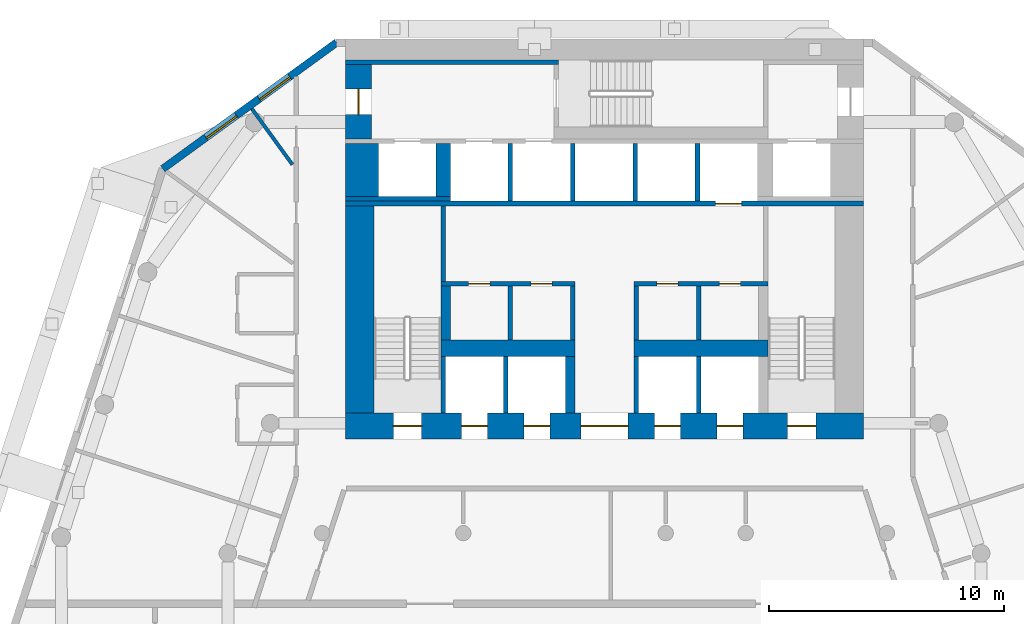
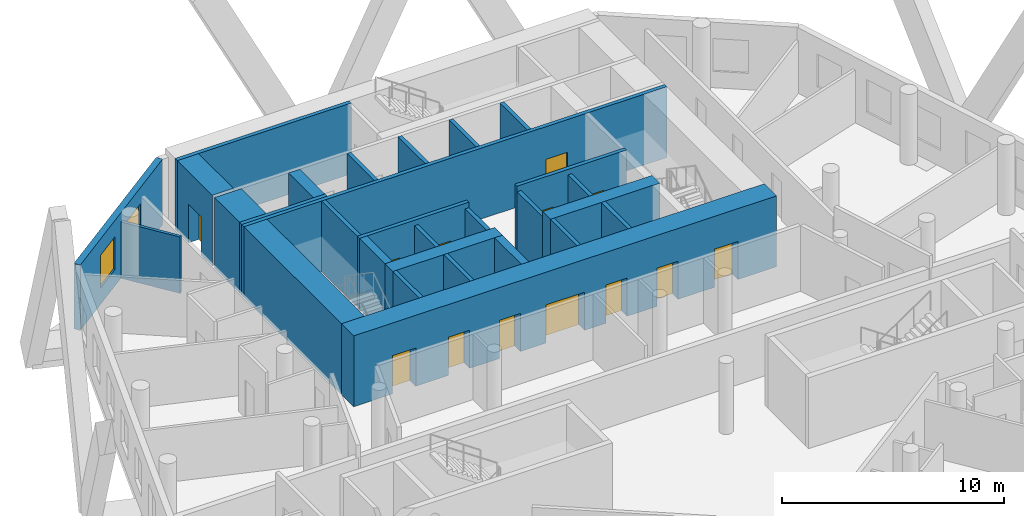
# One storey, part 6 of 10: 29 walls, 13 doors, 2 windows, 15 openings.
"""IFC4 building model written with IfcOpenShell, lengths in metres."""

from ifc_helpers import new_model, si_unit, direction, frame, frame_2d, origin, place, context, subcontext, project, spatial, rectangle, extrude, material, layer, layer_set, type_object, element, fill, save


model = new_model("IFC4")

# Units and contexts
model_context = context("Model", 3, precision=1e-05, world=origin(), true_north=direction((0.0, 1.0)))
body_context = subcontext(model_context, "Body", "Model", "MODEL_VIEW")
ifc_project = project(units=[si_unit("LENGTHUNIT", "METRE"), si_unit("AREAUNIT", "SQUARE_METRE"), si_unit("VOLUMEUNIT", "CUBIC_METRE"), si_unit("PLANEANGLEUNIT", "RADIAN"), si_unit("MASSUNIT", "GRAM", prefix="KILO")], contexts=[model_context])

# Site, building, storey
site_placement = place(None, origin())
site = spatial("IfcSite", under=ifc_project, at=site_placement, CompositionType="ELEMENT")
building_placement = place(site_placement, origin())
building = spatial("IfcBuilding", under=site, at=building_placement, Name="White Candle Pilgrim Tower", CompositionType="ELEMENT")
storey_placement = place(building_placement, frame((0.0, 0.0, 114.199951171875)))
storey = spatial("IfcBuildingStorey", under=building, at=storey_placement, Name="L25", CompositionType="ELEMENT", Elevation=114.199951171875)

# Wall, opening, door
ifc_material_1 = material(Name="Concrete C60/75", Category="concrete")
ifc_layer_1 = layer(ifc_material_1, 1.10009765625)
ifc_layer_set_1 = layer_set([ifc_layer_1], Name="Core wall 1100 mm Concrete C60/75")
wall_type_1 = type_object("IfcWallType", Name="Core wall 1100 mm Concrete C60/75", PredefinedType="SHEAR", material=ifc_layer_set_1)
wall_1_placement = place(storey_placement, frame((59.550048828125, 83.75, 0.0), z_axis=(0.0, 0.0, 1.0), x_axis=(0.0, 1.0, 0.0)))
wall_1 = element("IfcWall", 1, at=wall_1_placement, inside=storey, type_object=wall_type_1, Name="WL-L25-C44", PredefinedType="SHEAR", context=body_context, shape_type="SweptSolid", body=[
    extrude(rectangle(XDim=3.14990234375, YDim=1.10009765625, at=frame_2d((1.574951171875, 0.0))), origin(), (0.0, 0.0, 1.0), 3.900146484375),
])
opening_1_placement = place(wall_1_placement, frame((1.02490234375, 0.0, 0.0)))
opening_1 = element("IfcOpeningElement", 2, at=opening_1_placement, cuts=wall_1, Name="Opening T08-005", PredefinedType="OPENING", context=body_context, shape_type="SweptSolid", body=[
    extrude(rectangle(XDim=1.10009765625, YDim=2.10009765625, at=frame_2d((0.550048828125, 1.050048828125))), frame((0.0, 0.56005859375, 0.0), z_axis=(0.0, -1.0, 0.0), x_axis=(1.0, 0.0, 0.0)), (0.0, 0.0, 1.0), 1.1201171875),
])
ifc_material_2 = material(Name="Steel door leaf", Category="steel")
door_type_1 = type_object("IfcDoorType", Name="Fire door 1100 x 2100 EI 60", OperationType="NOTDEFINED", PredefinedType="DOOR", material=ifc_material_2)
door_1_placement = place(opening_1_placement, origin())
door_1 = element("IfcDoor", 3, at=door_1_placement, inside=storey, type_object=door_type_1, Name="Door T08-005", OperationType="SINGLE_SWING_LEFT", OverallHeight=2.10009765625, OverallWidth=1.10009765625, PredefinedType="DOOR", context=body_context, shape_type="SweptSolid", body=[
    extrude(rectangle(XDim=1.10009765625, YDim=2.10009765625, at=frame_2d((0.550048828125, 1.050048828125))), frame((0.0, 0.02490234375, 0.0), z_axis=(0.0, -1.0, 0.0), x_axis=(1.0, 0.0, 0.0)), (0.0, 0.0, 1.0), 0.050048828125),
])
fill(opening_1, door_1)

# Walls
ifc_layer_2 = layer(ifc_material_1, 1.39990234375)
ifc_layer_set_2 = layer_set([ifc_layer_2], Name="Core wall 1400 mm Concrete C60/75")
wall_type_2 = type_object("IfcWallType", Name="Core wall 1400 mm Concrete C60/75", PredefinedType="SHEAR", material=ifc_layer_set_2)
wall_2_placement = place(storey_placement, frame((59.699951171875, 81.300048828125, 0.0), z_axis=(0.0, 0.0, 1.0), x_axis=(0.0, 1.0, 0.0)))
element("IfcWall", 4, at=wall_2_placement, inside=storey, type_object=wall_type_2, Name="WL-L25-C39", PredefinedType="SHEAR", context=body_context, shape_type="SweptSolid", body=[
    extrude(rectangle(XDim=2.25, YDim=1.39990234375, at=frame_2d((1.125, 0.0))), origin(), (0.0, 0.0, 1.0), 3.900146484375),
])
ifc_layer_3 = layer(ifc_material_1, 0.199951171875)
ifc_layer_set_3 = layer_set([ifc_layer_3], Name="Core wall 200 mm Concrete C60/75")
wall_type_3 = type_object("IfcWallType", Name="Core wall 200 mm Concrete C60/75", PredefinedType="SHEAR", material=ifc_layer_set_3)
wall_3_placement = place(storey_placement, frame((59.0, 81.199951171875, 0.0), z_axis=(0.0, 0.0, 1.0), x_axis=(1.0, 0.0, 0.0)))
element("IfcWall", 5, at=wall_3_placement, inside=storey, type_object=wall_type_3, Name="WL-L25-C33", PredefinedType="SHEAR", context=body_context, shape_type="SweptSolid", body=[
    extrude(rectangle(XDim=4.449951171875, YDim=0.199951171875, at=frame_2d((2.22509765625, 0.0))), origin(), (0.0, 0.0, 1.0), 3.900146484375),
])

# Wall, openings, windows
ifc_material_3 = material(Name="Precast concrete C40/50", Category="concrete")
ifc_layer_4 = layer(ifc_material_3, 0.320068359375)
ifc_layer_set_4 = layer_set([ifc_layer_4], Name="Facade wall EW1 precast concrete C40/50 pier wall with timber-lined reveals")
wall_type_4 = type_object("IfcWallType", Name="Facade wall EW1 precast concrete C40/50 pier wall with timber-lined reveals", PredefinedType="SOLIDWALL", material=ifc_layer_set_4)
wall_4_placement = place(storey_placement, frame((58.614990234375, 87.840087890625, 0.0), z_axis=(0.0, 0.0, 1.0), x_axis=(-0.809013684675, -0.587789807677, 0.0)))
wall_4 = element("IfcWall", 6, at=wall_4_placement, inside=storey, type_object=wall_type_4, Name="Facade wall L25 NW chamfer", PredefinedType="SOLIDWALL", context=body_context, shape_type="SweptSolid", body=[
    extrude(rectangle(XDim=9.12451171875, YDim=0.320068359375, at=frame_2d((4.562255859375, 0.0))), origin(), (0.0, 0.0, 1.0), 3.60009765625),
])
opening_2_placement = place(wall_4_placement, frame((2.459716796875, 0.0, 0.89990234375)))
opening_2 = element("IfcOpeningElement", 7, at=opening_2_placement, cuts=wall_4, Name="Opening W2", PredefinedType="OPENING", context=body_context, shape_type="SweptSolid", body=[
    extrude(rectangle(XDim=1.60009765625, YDim=1.800048828125, at=frame_2d((0.800048828125, 0.89990234375))), frame((0.0, 0.169921875, 0.0), z_axis=(0.0, -1.0, 0.0), x_axis=(1.0, 0.0, 0.0)), (0.0, 0.0, 1.0), 0.340087890625),
])
opening_3_placement = place(wall_4_placement, frame((5.26220703125, 0.0, 0.89990234375)))
opening_3 = element("IfcOpeningElement", 8, at=opening_3_placement, cuts=wall_4, Name="Opening W2", PredefinedType="OPENING", context=body_context, shape_type="SweptSolid", body=[
    extrude(rectangle(XDim=1.60009765625, YDim=1.800048828125, at=frame_2d((0.800048828125, 0.89990234375))), frame((0.0, 0.169921875, 0.0), z_axis=(0.0, -1.0, 0.0), x_axis=(1.0, 0.0, 0.0)), (0.0, 0.0, 1.0), 0.340087890625),
])
ifc_material_4 = material(Name="Timber frame with triple glazing", Category="wood")
window_type = type_object("IfcWindowType", Name="Window W2 1600x1800 timber frame triple glazing", PartitioningType="SINGLE_PANEL", PredefinedType="WINDOW", material=ifc_material_4)
window_1_placement = place(opening_2_placement, origin())
window_1 = element("IfcWindow", 9, at=window_1_placement, inside=storey, type_object=window_type, Name="Window W2 L25 NW chamfer 1", OverallHeight=1.800048828125, OverallWidth=1.60009765625, PartitioningType="SINGLE_PANEL", PredefinedType="WINDOW", context=body_context, shape_type="SweptSolid", body=[
    extrude(rectangle(XDim=1.60009765625, YDim=1.800048828125, at=frame_2d((0.800048828125, 0.89990234375))), frame((0.0, 0.070068359375, 0.0), z_axis=(0.0, -1.0, 0.0), x_axis=(1.0, 0.0, 0.0)), (0.0, 0.0, 1.0), 0.06005859375),
])
fill(opening_2, window_1)
window_2_placement = place(opening_3_placement, origin())
window_2 = element("IfcWindow", 10, at=window_2_placement, inside=storey, type_object=window_type, Name="Window W2 L25 NW chamfer 2", OverallHeight=1.800048828125, OverallWidth=1.60009765625, PartitioningType="SINGLE_PANEL", PredefinedType="WINDOW", context=body_context, shape_type="SweptSolid", body=[
    extrude(rectangle(XDim=1.60009765625, YDim=1.800048828125, at=frame_2d((0.800048828125, 0.89990234375))), frame((0.0, 0.070068359375, 0.0), z_axis=(0.0, -1.0, 0.0), x_axis=(1.0, 0.0, 0.0)), (0.0, 0.0, 1.0), 0.06005859375),
])
fill(opening_3, window_2)

# Walls
ifc_material_5 = material(Name="Gypsum board on steel studs", Category="steel")
ifc_layer_5 = layer(ifc_material_5, 0.199951171875)
ifc_layer_set_5 = layer_set([ifc_layer_5], Name="Lobby wall 200 mm EI 60")
wall_type_5 = type_object("IfcWallType", Name="Lobby wall 200 mm EI 60", PredefinedType="PARTITIONING", material=ifc_layer_set_5)
for number, where, z_axis, x_axis, name in (
    (11, (66.0, 75.199951171875, 0.0), (0.0, 0.0, 1.0), (0.0, 1.0, 0.0), "WL-L25-C23"),
    (12, (68.64990234375, 75.199951171875, 0.0), (0.0, 0.0, 1.0), (0.0, 1.0, 0.0), "WL-L25-C24"),
    (13, (71.35009765625, 75.199951171875, 0.0), (0.0, 0.0, 1.0), (0.0, 1.0, 0.0), "WL-L25-C25"),
    (14, (74.0, 75.199951171875, 0.0), (0.0, 0.0, 1.0), (0.0, 1.0, 0.0), "WL-L25-C26"),
):
    element("IfcWall", number, at=place(storey_placement, frame(where, z_axis=z_axis, x_axis=x_axis)), inside=storey, type_object=wall_type_5, Name=name, PredefinedType="PARTITIONING", context=body_context, shape_type="SweptSolid", body=[
        extrude(rectangle(XDim=2.300048828125, YDim=0.199951171875, at=frame_2d((1.14990234375, 0.0))), origin(), (0.0, 0.0, 1.0), 3.60009765625),
    ])
ifc_layer_6 = layer(ifc_material_5, 0.14990234375)
ifc_layer_set_6 = layer_set([ifc_layer_6], Name="Partition 150 mm EI 60")
wall_type_6 = type_object("IfcWallType", Name="Partition 150 mm EI 60", PredefinedType="PARTITIONING", material=ifc_layer_set_6)
wall_5_placement = place(storey_placement, frame((55.01806640625, 85.02880859375, 0.0), z_axis=(0.0, 0.0, 1.0), x_axis=(0.587804780277, -0.809002806103, 0.0)))
element("IfcWall", 15, at=wall_5_placement, inside=storey, type_object=wall_type_6, Name="WL-L25-P024", PredefinedType="PARTITIONING", context=body_context, shape_type="SweptSolid", body=[
    extrude(rectangle(XDim=2.92822265625, YDim=0.14990234375, at=frame_2d((1.464111328125, 0.0))), origin(), (0.0, 0.0, 1.0), 3.10009765625),
])
ifc_layer_7 = layer(ifc_material_1, 0.199951171875)
ifc_layer_set_7 = layer_set([ifc_layer_7], Name="Shaft wall 200 mm Concrete C60/75")
wall_type_7 = type_object("IfcWallType", Name="Shaft wall 200 mm Concrete C60/75", PredefinedType="SHEAR", material=ifc_layer_set_7)
for number, where, z_axis, x_axis, name in (
    (16, (65.800048828125, 72.10009765625, 0.0), (0.0, 0.0, 1.0), (0.0, 1.0, 0.0), "WL-L25-C14"),
    (17, (71.35009765625, 72.10009765625, 0.0), (0.0, 0.0, 1.0), (0.0, 1.0, 0.0), "WL-L25-C16"),
    (18, (74.0, 72.10009765625, 0.0), (0.0, 0.0, 1.0), (0.0, 1.0, 0.0), "WL-L25-C17"),
):
    element("IfcWall", number, at=place(storey_placement, frame(where, z_axis=z_axis, x_axis=x_axis)), inside=storey, type_object=wall_type_7, Name=name, PredefinedType="SHEAR", context=body_context, shape_type="SweptSolid", body=[
        extrude(rectangle(XDim=2.39990234375, YDim=0.199951171875, at=frame_2d((1.199951171875, 0.0))), origin(), (0.0, 0.0, 1.0), 3.900146484375),
    ])
for number, where, z_axis, x_axis, name in (
    (19, (66.0, 81.10009765625, 0.0), (0.0, 0.0, 1.0), (0.0, 1.0, 0.0), "WL-L25-C34"),
    (20, (68.64990234375, 81.10009765625, 0.0), (0.0, 0.0, 1.0), (0.0, 1.0, 0.0), "WL-L25-C35"),
    (21, (71.300048828125, 81.10009765625, 0.0), (0.0, 0.0, 1.0), (0.0, 1.0, 0.0), "WL-L25-C36"),
    (22, (73.949951171875, 81.10009765625, 0.0), (0.0, 0.0, 1.0), (0.0, 1.0, 0.0), "WL-L25-C37"),
):
    element("IfcWall", number, at=place(storey_placement, frame(where, z_axis=z_axis, x_axis=x_axis)), inside=storey, type_object=wall_type_7, Name=name, PredefinedType="SHEAR", context=body_context, shape_type="SweptSolid", body=[
        extrude(rectangle(XDim=2.449951171875, YDim=0.199951171875, at=frame_2d((1.22509765625, 0.0))), origin(), (0.0, 0.0, 1.0), 3.900146484375),
    ])
ifc_layer_8 = layer(ifc_material_1, 0.39990234375)
ifc_layer_set_8 = layer_set([ifc_layer_8], Name="Shaft wall 400 mm Concrete C60/75")
wall_type_8 = type_object("IfcWallType", Name="Shaft wall 400 mm Concrete C60/75", PredefinedType="SHEAR", material=ifc_layer_set_8)
wall_6_placement = place(storey_placement, frame((68.550048828125, 72.10009765625, 0.0), z_axis=(0.0, 0.0, 1.0), x_axis=(0.0, 1.0, 0.0)))
element("IfcWall", 23, at=wall_6_placement, inside=storey, type_object=wall_type_8, Name="WL-L25-C15", PredefinedType="SHEAR", context=body_context, shape_type="SweptSolid", body=[
    extrude(rectangle(XDim=2.39990234375, YDim=0.39990234375, at=frame_2d((1.199951171875, 0.0))), origin(), (0.0, 0.0, 1.0), 3.900146484375),
])
ifc_layer_9 = layer(ifc_material_1, 0.60009765625)
ifc_layer_set_9 = layer_set([ifc_layer_9], Name="Shaft wall 600 mm Concrete C60/75")
wall_type_9 = type_object("IfcWallType", Name="Shaft wall 600 mm Concrete C60/75", PredefinedType="SHEAR", material=ifc_layer_set_9)
wall_7_placement = place(storey_placement, frame((63.14990234375, 81.300048828125, 0.0), z_axis=(0.0, 0.0, 1.0), x_axis=(0.0, 1.0, 0.0)))
element("IfcWall", 24, at=wall_7_placement, inside=storey, type_object=wall_type_9, Name="WL-L25-C40", PredefinedType="SHEAR", context=body_context, shape_type="SweptSolid", body=[
    extrude(rectangle(XDim=2.25, YDim=0.60009765625, at=frame_2d((1.125, 0.0))), origin(), (0.0, 0.0, 1.0), 3.900146484375),
])

# Wall, openings, doors
ifc_layer_10 = layer(ifc_material_1, 1.10009765625)
ifc_layer_set_10 = layer_set([ifc_layer_10], Name="Stair shaft wall 1100 mm Concrete C60/75")
wall_type_10 = type_object("IfcWallType", Name="Stair shaft wall 1100 mm Concrete C60/75", PredefinedType="SHEAR", material=ifc_layer_set_10)
wall_8_placement = place(storey_placement, frame((59.0, 71.550048828125, 0.0), z_axis=(0.0, 0.0, 1.0), x_axis=(1.0, 0.0, 0.0)))
wall_8 = element("IfcWall", 25, at=wall_8_placement, inside=storey, type_object=wall_type_10, Name="WL-L25-C11", PredefinedType="SHEAR", context=body_context, shape_type="SweptSolid", body=[
    extrude(rectangle(XDim=22.0, YDim=1.10009765625, at=frame_2d((11.0, 0.0))), origin(), (0.0, 0.0, 1.0), 3.900146484375),
])
opening_4_placement = place(wall_8_placement, frame((2.02490234375, 0.0, 0.0)))
opening_4 = element("IfcOpeningElement", 26, at=opening_4_placement, cuts=wall_8, Name="Opening T08-001", PredefinedType="OPENING", context=body_context, shape_type="SweptSolid", body=[
    extrude(rectangle(XDim=1.199951171875, YDim=2.10009765625, at=frame_2d((0.60009765625, 1.050048828125))), frame((0.0, 0.56005859375, 0.0), z_axis=(0.0, -1.0, 0.0), x_axis=(1.0, 0.0, 0.0)), (0.0, 0.0, 1.0), 1.1201171875),
])
opening_5_placement = place(wall_8_placement, frame((18.77490234375, 0.0, 0.0)))
opening_5 = element("IfcOpeningElement", 27, at=opening_5_placement, cuts=wall_8, Name="Opening T08-002", PredefinedType="OPENING", context=body_context, shape_type="SweptSolid", body=[
    extrude(rectangle(XDim=1.199951171875, YDim=2.10009765625, at=frame_2d((0.60009765625, 1.050048828125))), frame((0.0, 0.56005859375, 0.0), z_axis=(0.0, -1.0, 0.0), x_axis=(1.0, 0.0, 0.0)), (0.0, 0.0, 1.0), 1.1201171875),
])
opening_6_placement = place(wall_8_placement, frame((10.0, 0.0, 0.0)))
opening_6 = element("IfcOpeningElement", 28, at=opening_6_placement, cuts=wall_8, Name="Opening T08-004", PredefinedType="OPENING", context=body_context, shape_type="SweptSolid", body=[
    extrude(rectangle(XDim=2.0, YDim=2.10009765625, at=frame_2d((1.0, 1.050048828125))), frame((0.0, 0.56005859375, 0.0), z_axis=(0.0, -1.0, 0.0), x_axis=(1.0, 0.0, 0.0)), (0.0, 0.0, 1.0), 1.1201171875),
])
opening_7_placement = place(wall_8_placement, frame((4.925048828125, 0.0, 0.0)))
opening_7 = element("IfcOpeningElement", 29, at=opening_7_placement, cuts=wall_8, Name="Opening T08-014", PredefinedType="OPENING", context=body_context, shape_type="SweptSolid", body=[
    extrude(rectangle(XDim=1.10009765625, YDim=2.10009765625, at=frame_2d((0.550048828125, 1.050048828125))), frame((0.0, 0.56005859375, 0.0), z_axis=(0.0, -1.0, 0.0), x_axis=(1.0, 0.0, 0.0)), (0.0, 0.0, 1.0), 1.1201171875),
])
opening_8_placement = place(wall_8_placement, frame((7.574951171875, 0.0, 0.0)))
opening_8 = element("IfcOpeningElement", 30, at=opening_8_placement, cuts=wall_8, Name="Opening T08-015", PredefinedType="OPENING", context=body_context, shape_type="SweptSolid", body=[
    extrude(rectangle(XDim=1.10009765625, YDim=2.10009765625, at=frame_2d((0.550048828125, 1.050048828125))), frame((0.0, 0.56005859375, 0.0), z_axis=(0.0, -1.0, 0.0), x_axis=(1.0, 0.0, 0.0)), (0.0, 0.0, 1.0), 1.1201171875),
])
opening_9_placement = place(wall_8_placement, frame((13.125, 0.0, 0.0)))
opening_9 = element("IfcOpeningElement", 31, at=opening_9_placement, cuts=wall_8, Name="Opening T08-016", PredefinedType="OPENING", context=body_context, shape_type="SweptSolid", body=[
    extrude(rectangle(XDim=1.10009765625, YDim=2.10009765625, at=frame_2d((0.550048828125, 1.050048828125))), frame((0.0, 0.56005859375, 0.0), z_axis=(0.0, -1.0, 0.0), x_axis=(1.0, 0.0, 0.0)), (0.0, 0.0, 1.0), 1.1201171875),
])
opening_10_placement = place(wall_8_placement, frame((15.77490234375, 0.0, 0.0)))
opening_10 = element("IfcOpeningElement", 32, at=opening_10_placement, cuts=wall_8, Name="Opening T08-017", PredefinedType="OPENING", context=body_context, shape_type="SweptSolid", body=[
    extrude(rectangle(XDim=1.10009765625, YDim=2.10009765625, at=frame_2d((0.550048828125, 1.050048828125))), frame((0.0, 0.56005859375, 0.0), z_axis=(0.0, -1.0, 0.0), x_axis=(1.0, 0.0, 0.0)), (0.0, 0.0, 1.0), 1.1201171875),
])
door_type_2 = type_object("IfcDoorType", Name="Fire door 1200 x 2100 EI 60", OperationType="NOTDEFINED", PredefinedType="DOOR", material=ifc_material_2)
door_2_placement = place(opening_4_placement, frame((1.199951171875, 0.0, 0.0), z_axis=(0.0, 0.0, 1.0), x_axis=(-1.0, 0.0, 0.0)))
door_2 = element("IfcDoor", 33, at=door_2_placement, inside=storey, type_object=door_type_2, Name="Door T08-001", OperationType="SINGLE_SWING_RIGHT", OverallHeight=2.10009765625, OverallWidth=1.199951171875, PredefinedType="DOOR", context=body_context, shape_type="SweptSolid", body=[
    extrude(rectangle(XDim=1.199951171875, YDim=2.10009765625, at=frame_2d((0.60009765625, 1.050048828125))), frame((0.0, 0.02490234375, 0.0), z_axis=(0.0, -1.0, 0.0), x_axis=(1.0, 0.0, 0.0)), (0.0, 0.0, 1.0), 0.050048828125),
])
fill(opening_4, door_2)
door_3_placement = place(opening_5_placement, frame((1.199951171875, 0.0, 0.0), z_axis=(0.0, 0.0, 1.0), x_axis=(-1.0, 0.0, 0.0)))
door_3 = element("IfcDoor", 34, at=door_3_placement, inside=storey, type_object=door_type_2, Name="Door T08-002", OperationType="SINGLE_SWING_LEFT", OverallHeight=2.10009765625, OverallWidth=1.199951171875, PredefinedType="DOOR", context=body_context, shape_type="SweptSolid", body=[
    extrude(rectangle(XDim=1.199951171875, YDim=2.10009765625, at=frame_2d((0.60009765625, 1.050048828125))), frame((0.0, 0.02490234375, 0.0), z_axis=(0.0, -1.0, 0.0), x_axis=(1.0, 0.0, 0.0)), (0.0, 0.0, 1.0), 0.050048828125),
])
fill(opening_5, door_3)
door_type_3 = type_object("IfcDoorType", Name="Fire door 2000 x 2100 EI 60", OperationType="NOTDEFINED", PredefinedType="DOOR", material=ifc_material_2)
door_4_placement = place(opening_6_placement, frame((2.0, 0.0, 0.0), z_axis=(0.0, 0.0, 1.0), x_axis=(-1.0, 0.0, 0.0)))
door_4 = element("IfcDoor", 35, at=door_4_placement, inside=storey, type_object=door_type_3, Name="Door T08-004", OperationType="DOUBLE_DOOR_SINGLE_SWING", OverallHeight=2.10009765625, OverallWidth=2.0, PredefinedType="DOOR", context=body_context, shape_type="SweptSolid", body=[
    extrude(rectangle(XDim=2.0, YDim=2.10009765625, at=frame_2d((1.0, 1.050048828125))), frame((0.0, 0.02490234375, 0.0), z_axis=(0.0, -1.0, 0.0), x_axis=(1.0, 0.0, 0.0)), (0.0, 0.0, 1.0), 0.050048828125),
])
fill(opening_6, door_4)
ifc_material_6 = material(Name="Stainless steel", Category="steel")
door_type_4 = type_object("IfcDoorType", Name="Lift landing door 1100 x 2100 E 60", OperationType="DOUBLE_DOOR_SLIDING", PredefinedType="DOOR", material=ifc_material_6)
door_5_placement = place(opening_7_placement, origin())
door_5 = element("IfcDoor", 36, at=door_5_placement, inside=storey, type_object=door_type_4, Name="Door T08-014", OperationType="DOUBLE_DOOR_SLIDING", OverallHeight=2.10009765625, OverallWidth=1.10009765625, PredefinedType="DOOR", context=body_context, shape_type="SweptSolid", body=[
    extrude(rectangle(XDim=1.10009765625, YDim=2.10009765625, at=frame_2d((0.550048828125, 1.050048828125))), frame((0.0, 0.02490234375, 0.0), z_axis=(0.0, -1.0, 0.0), x_axis=(1.0, 0.0, 0.0)), (0.0, 0.0, 1.0), 0.050048828125),
])
fill(opening_7, door_5)
door_6_placement = place(opening_8_placement, origin())
door_6 = element("IfcDoor", 37, at=door_6_placement, inside=storey, type_object=door_type_4, Name="Door T08-015", OperationType="DOUBLE_DOOR_SLIDING", OverallHeight=2.10009765625, OverallWidth=1.10009765625, PredefinedType="DOOR", context=body_context, shape_type="SweptSolid", body=[
    extrude(rectangle(XDim=1.10009765625, YDim=2.10009765625, at=frame_2d((0.550048828125, 1.050048828125))), frame((0.0, 0.02490234375, 0.0), z_axis=(0.0, -1.0, 0.0), x_axis=(1.0, 0.0, 0.0)), (0.0, 0.0, 1.0), 0.050048828125),
])
fill(opening_8, door_6)
door_7_placement = place(opening_9_placement, origin())
door_7 = element("IfcDoor", 38, at=door_7_placement, inside=storey, type_object=door_type_4, Name="Door T08-016", OperationType="DOUBLE_DOOR_SLIDING", OverallHeight=2.10009765625, OverallWidth=1.10009765625, PredefinedType="DOOR", context=body_context, shape_type="SweptSolid", body=[
    extrude(rectangle(XDim=1.10009765625, YDim=2.10009765625, at=frame_2d((0.550048828125, 1.050048828125))), frame((0.0, 0.02490234375, 0.0), z_axis=(0.0, -1.0, 0.0), x_axis=(1.0, 0.0, 0.0)), (0.0, 0.0, 1.0), 0.050048828125),
])
fill(opening_9, door_7)
door_8_placement = place(opening_10_placement, origin())
door_8 = element("IfcDoor", 39, at=door_8_placement, inside=storey, type_object=door_type_4, Name="Door T08-017", OperationType="DOUBLE_DOOR_SLIDING", OverallHeight=2.10009765625, OverallWidth=1.10009765625, PredefinedType="DOOR", context=body_context, shape_type="SweptSolid", body=[
    extrude(rectangle(XDim=1.10009765625, YDim=2.10009765625, at=frame_2d((0.550048828125, 1.050048828125))), frame((0.0, 0.02490234375, 0.0), z_axis=(0.0, -1.0, 0.0), x_axis=(1.0, 0.0, 0.0)), (0.0, 0.0, 1.0), 0.050048828125),
])
fill(opening_10, door_8)

# Walls
ifc_layer_11 = layer(ifc_material_1, 1.199951171875)
ifc_layer_set_11 = layer_set([ifc_layer_11], Name="Stair shaft wall 1200 mm Concrete C60/75")
wall_type_11 = type_object("IfcWallType", Name="Stair shaft wall 1200 mm Concrete C60/75", PredefinedType="SHEAR", material=ifc_layer_set_11)
wall_9_placement = place(storey_placement, frame((59.60009765625, 72.10009765625, 0.0), z_axis=(0.0, 0.0, 1.0), x_axis=(0.0, 1.0, 0.0)))
element("IfcWall", 40, at=wall_9_placement, inside=storey, type_object=wall_type_11, Name="WL-L25-C12", PredefinedType="SHEAR", context=body_context, shape_type="SweptSolid", body=[
    extrude(rectangle(XDim=8.7998046875, YDim=1.199951171875, at=frame_2d((4.39990234375, 0.0))), origin(), (0.0, 0.0, 1.0), 3.900146484375),
])
ifc_layer_12 = layer(ifc_material_1, 0.199951171875)
ifc_layer_set_12 = layer_set([ifc_layer_12], Name="Stair shaft wall 200 mm Concrete C60/75")
wall_type_12 = type_object("IfcWallType", Name="Stair shaft wall 200 mm Concrete C60/75", PredefinedType="SHEAR", material=ifc_layer_set_12)
wall_10_placement = place(storey_placement, frame((63.14990234375, 72.10009765625, 0.0), z_axis=(0.0, 0.0, 1.0), x_axis=(0.0, 1.0, 0.0)))
element("IfcWall", 41, at=wall_10_placement, inside=storey, type_object=wall_type_12, Name="WL-L25-C13", PredefinedType="SHEAR", context=body_context, shape_type="SweptSolid", body=[
    extrude(rectangle(XDim=2.39990234375, YDim=0.199951171875, at=frame_2d((1.199951171875, 0.0))), origin(), (0.0, 0.0, 1.0), 3.900146484375),
])

# Wall, openings, doors
wall_11_placement = place(storey_placement, frame((63.050048828125, 77.60009765625, 0.0), z_axis=(0.0, 0.0, 1.0), x_axis=(1.0, 0.0, 0.0)))
wall_11 = element("IfcWall", 42, at=wall_11_placement, inside=storey, type_object=wall_type_12, Name="WL-L25-C28", PredefinedType="SHEAR", context=body_context, shape_type="SweptSolid", body=[
    extrude(rectangle(XDim=5.699951171875, YDim=0.199951171875, at=frame_2d((2.85009765625, 0.0))), origin(), (0.0, 0.0, 1.0), 3.900146484375),
])
opening_11_placement = place(wall_11_placement, frame((1.175048828125, 0.0, 0.0)))
opening_11 = element("IfcOpeningElement", 43, at=opening_11_placement, cuts=wall_11, Name="Opening T08-020", PredefinedType="OPENING", context=body_context, shape_type="SweptSolid", body=[
    extrude(rectangle(XDim=0.89990234375, YDim=2.10009765625, at=frame_2d((0.449951171875, 1.050048828125))), frame((0.0, 0.10986328125, 0.0), z_axis=(0.0, -1.0, 0.0), x_axis=(1.0, 0.0, 0.0)), (0.0, 0.0, 1.0), 0.219970703125),
])
opening_12_placement = place(wall_11_placement, frame((3.824951171875, 0.0, 0.0)))
opening_12 = element("IfcOpeningElement", 44, at=opening_12_placement, cuts=wall_11, Name="Opening T08-021", PredefinedType="OPENING", context=body_context, shape_type="SweptSolid", body=[
    extrude(rectangle(XDim=0.89990234375, YDim=2.10009765625, at=frame_2d((0.449951171875, 1.050048828125))), frame((0.0, 0.10986328125, 0.0), z_axis=(0.0, -1.0, 0.0), x_axis=(1.0, 0.0, 0.0)), (0.0, 0.0, 1.0), 0.219970703125),
])
door_type_5 = type_object("IfcDoorType", Name="Fire door 900 x 2100 EI 30", OperationType="NOTDEFINED", PredefinedType="DOOR", material=ifc_material_2)
door_9_placement = place(opening_11_placement, origin())
door_9 = element("IfcDoor", 45, at=door_9_placement, inside=storey, type_object=door_type_5, Name="Door T08-020", OperationType="SINGLE_SWING_RIGHT", OverallHeight=2.10009765625, OverallWidth=0.89990234375, PredefinedType="DOOR", context=body_context, shape_type="SweptSolid", body=[
    extrude(rectangle(XDim=0.89990234375, YDim=2.10009765625, at=frame_2d((0.449951171875, 1.050048828125))), frame((0.0, 0.02490234375, 0.0), z_axis=(0.0, -1.0, 0.0), x_axis=(1.0, 0.0, 0.0)), (0.0, 0.0, 1.0), 0.050048828125),
])
fill(opening_11, door_9)
door_10_placement = place(opening_12_placement, origin())
door_10 = element("IfcDoor", 46, at=door_10_placement, inside=storey, type_object=door_type_5, Name="Door T08-021", OperationType="SINGLE_SWING_LEFT", OverallHeight=2.10009765625, OverallWidth=0.89990234375, PredefinedType="DOOR", context=body_context, shape_type="SweptSolid", body=[
    extrude(rectangle(XDim=0.89990234375, YDim=2.10009765625, at=frame_2d((0.449951171875, 1.050048828125))), frame((0.0, 0.02490234375, 0.0), z_axis=(0.0, -1.0, 0.0), x_axis=(1.0, 0.0, 0.0)), (0.0, 0.0, 1.0), 0.050048828125),
])
fill(opening_12, door_10)

wall_12_placement = place(storey_placement, frame((71.25, 77.60009765625, 0.0), z_axis=(0.0, 0.0, 1.0), x_axis=(1.0, 0.0, 0.0)))
wall_12 = element("IfcWall", 47, at=wall_12_placement, inside=storey, type_object=wall_type_12, Name="WL-L25-C29", PredefinedType="SHEAR", context=body_context, shape_type="SweptSolid", body=[
    extrude(rectangle(XDim=5.699951171875, YDim=0.199951171875, at=frame_2d((2.85009765625, 0.0))), origin(), (0.0, 0.0, 1.0), 3.900146484375),
])
opening_13_placement = place(wall_12_placement, frame((0.97509765625, 0.0, 0.0)))
opening_13 = element("IfcOpeningElement", 48, at=opening_13_placement, cuts=wall_12, Name="Opening T08-022", PredefinedType="OPENING", context=body_context, shape_type="SweptSolid", body=[
    extrude(rectangle(XDim=0.89990234375, YDim=2.10009765625, at=frame_2d((0.449951171875, 1.050048828125))), frame((0.0, 0.10986328125, 0.0), z_axis=(0.0, -1.0, 0.0), x_axis=(1.0, 0.0, 0.0)), (0.0, 0.0, 1.0), 0.219970703125),
])
opening_14_placement = place(wall_12_placement, frame((3.625, 0.0, 0.0)))
opening_14 = element("IfcOpeningElement", 49, at=opening_14_placement, cuts=wall_12, Name="Opening T08-023", PredefinedType="OPENING", context=body_context, shape_type="SweptSolid", body=[
    extrude(rectangle(XDim=0.89990234375, YDim=2.10009765625, at=frame_2d((0.449951171875, 1.050048828125))), frame((0.0, 0.10986328125, 0.0), z_axis=(0.0, -1.0, 0.0), x_axis=(1.0, 0.0, 0.0)), (0.0, 0.0, 1.0), 0.219970703125),
])
door_11_placement = place(opening_13_placement, origin())
door_11 = element("IfcDoor", 50, at=door_11_placement, inside=storey, type_object=door_type_5, Name="Door T08-022", OperationType="SINGLE_SWING_RIGHT", OverallHeight=2.10009765625, OverallWidth=0.89990234375, PredefinedType="DOOR", context=body_context, shape_type="SweptSolid", body=[
    extrude(rectangle(XDim=0.89990234375, YDim=2.10009765625, at=frame_2d((0.449951171875, 1.050048828125))), frame((0.0, 0.02490234375, 0.0), z_axis=(0.0, -1.0, 0.0), x_axis=(1.0, 0.0, 0.0)), (0.0, 0.0, 1.0), 0.050048828125),
])
fill(opening_13, door_11)
door_12_placement = place(opening_14_placement, origin())
door_12 = element("IfcDoor", 51, at=door_12_placement, inside=storey, type_object=door_type_5, Name="Door T08-023", OperationType="SINGLE_SWING_LEFT", OverallHeight=2.10009765625, OverallWidth=0.89990234375, PredefinedType="DOOR", context=body_context, shape_type="SweptSolid", body=[
    extrude(rectangle(XDim=0.89990234375, YDim=2.10009765625, at=frame_2d((0.449951171875, 1.050048828125))), frame((0.0, 0.02490234375, 0.0), z_axis=(0.0, -1.0, 0.0), x_axis=(1.0, 0.0, 0.0)), (0.0, 0.0, 1.0), 0.050048828125),
])
fill(opening_14, door_12)

# Wall
wall_13_placement = place(storey_placement, frame((63.14990234375, 77.699951171875, 0.0), z_axis=(0.0, 0.0, 1.0), x_axis=(0.0, 1.0, 0.0)))
element("IfcWall", 52, at=wall_13_placement, inside=storey, type_object=wall_type_12, Name="WL-L25-C30", PredefinedType="SHEAR", context=body_context, shape_type="SweptSolid", body=[
    extrude(rectangle(XDim=3.199951171875, YDim=0.199951171875, at=frame_2d((1.60009765625, 0.0))), origin(), (0.0, 0.0, 1.0), 3.900146484375),
])

# Wall, opening, door
wall_14_placement = place(storey_placement, frame((59.0, 81.0, 0.0), z_axis=(0.0, 0.0, 1.0), x_axis=(1.0, 0.0, 0.0)))
wall_14 = element("IfcWall", 53, at=wall_14_placement, inside=storey, type_object=wall_type_12, Name="WL-L25-C32", PredefinedType="SHEAR", context=body_context, shape_type="SweptSolid", body=[
    extrude(rectangle(XDim=22.0, YDim=0.199951171875, at=frame_2d((11.0, 0.0))), origin(), (0.0, 0.0, 1.0), 3.900146484375),
])
opening_15_placement = place(wall_14_placement, frame((15.72509765625, 0.0, 0.0)))
opening_15 = element("IfcOpeningElement", 54, at=opening_15_placement, cuts=wall_14, Name="Opening T08-013", PredefinedType="OPENING", context=body_context, shape_type="SweptSolid", body=[
    extrude(rectangle(XDim=1.10009765625, YDim=2.10009765625, at=frame_2d((0.550048828125, 1.050048828125))), frame((0.0, 0.10986328125, 0.0), z_axis=(0.0, -1.0, 0.0), x_axis=(1.0, 0.0, 0.0)), (0.0, 0.0, 1.0), 0.219970703125),
])
door_13_placement = place(opening_15_placement, origin())
door_13 = element("IfcDoor", 55, at=door_13_placement, inside=storey, type_object=door_type_4, Name="Door T08-013", OperationType="DOUBLE_DOOR_SLIDING", OverallHeight=2.10009765625, OverallWidth=1.10009765625, PredefinedType="DOOR", context=body_context, shape_type="SweptSolid", body=[
    extrude(rectangle(XDim=1.10009765625, YDim=2.10009765625, at=frame_2d((0.550048828125, 1.050048828125))), frame((0.0, 0.02490234375, 0.0), z_axis=(0.0, -1.0, 0.0), x_axis=(1.0, 0.0, 0.0)), (0.0, 0.0, 1.0), 0.050048828125),
])
fill(opening_15, door_13)

# Walls
wall_15_placement = place(storey_placement, frame((59.0, 87.0, 0.0), z_axis=(0.0, 0.0, 1.0), x_axis=(1.0, 0.0, 0.0)))
element("IfcWall", 56, at=wall_15_placement, inside=storey, type_object=wall_type_12, Name="WL-L25-C49", PredefinedType="SHEAR", context=body_context, shape_type="SweptSolid", body=[
    extrude(rectangle(XDim=9.050048828125, YDim=0.199951171875, at=frame_2d((4.52490234375, 0.0))), origin(), (0.0, 0.0, 1.0), 3.900146484375),
])
ifc_layer_13 = layer(ifc_material_1, 0.39990234375)
ifc_layer_set_13 = layer_set([ifc_layer_13], Name="Stair shaft wall 400 mm Concrete C60/75")
wall_type_13 = type_object("IfcWallType", Name="Stair shaft wall 400 mm Concrete C60/75", PredefinedType="SHEAR", material=ifc_layer_set_13)
wall_16_placement = place(storey_placement, frame((63.25, 75.199951171875, 0.0), z_axis=(0.0, 0.0, 1.0), x_axis=(0.0, 1.0, 0.0)))
element("IfcWall", 57, at=wall_16_placement, inside=storey, type_object=wall_type_13, Name="WL-L25-C22", PredefinedType="SHEAR", context=body_context, shape_type="SweptSolid", body=[
    extrude(rectangle(XDim=2.300048828125, YDim=0.39990234375, at=frame_2d((1.14990234375, 0.0))), origin(), (0.0, 0.0, 1.0), 3.900146484375),
])
ifc_layer_14 = layer(ifc_material_1, 0.699951171875)
ifc_layer_set_14 = layer_set([ifc_layer_14], Name="Stair shaft wall 700 mm Concrete C60/75")
wall_type_14 = type_object("IfcWallType", Name="Stair shaft wall 700 mm Concrete C60/75", PredefinedType="SHEAR", material=ifc_layer_set_14)
for number, where, z_axis, x_axis, name in (
    (58, (63.050048828125, 74.85009765625, 0.0), (0.0, 0.0, 1.0), (1.0, 0.0, 0.0), "WL-L25-C20"),
    (59, (71.25, 74.85009765625, 0.0), (0.0, 0.0, 1.0), (1.0, 0.0, 0.0), "WL-L25-C21"),
):
    element("IfcWall", number, at=place(storey_placement, frame(where, z_axis=z_axis, x_axis=x_axis)), inside=storey, type_object=wall_type_14, Name=name, PredefinedType="SHEAR", context=body_context, shape_type="SweptSolid", body=[
        extrude(rectangle(XDim=5.699951171875, YDim=0.699951171875, at=frame_2d((2.85009765625, 0.0))), origin(), (0.0, 0.0, 1.0), 3.900146484375),
    ])

save(model, "model.ifc")
